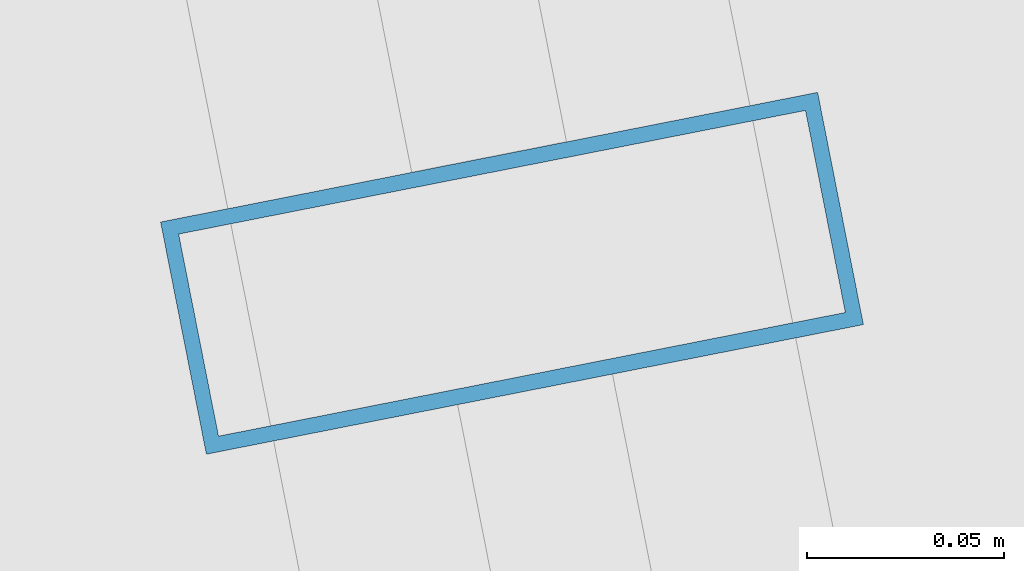
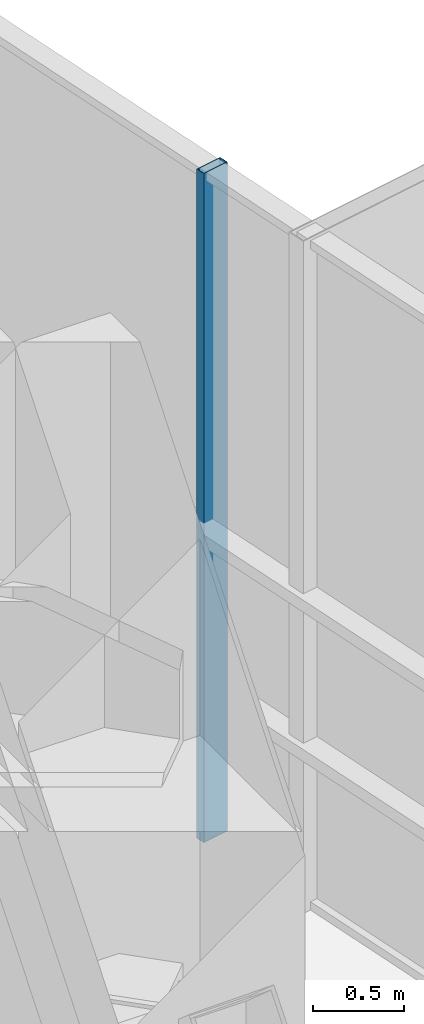
# One storey, part 21 of 36: 1 member, 1 element without a shape of its own.
"""IFC4 building model written with IfcOpenShell, lengths in metres."""

import ifcopenshell
import ifcopenshell.guid

model = None  # the IFC model being written
_history = None  # IfcOwnerHistory: only IFC2X3 demands one
_inside = {}  # id of a spatial element -> (the spatial element, [elements in it])
_under = {}  # id of a project, library or spatial element -> (it, [spatial elements below it])
_declared = {}  # id of a project -> (the project, [libraries it declares])
_typed = {}  # id of a type object -> (the type object, [elements of that type])
_made_of = {}  # id of a material, layer set ... -> (it, [elements and type objects made of it])


def new_model(schema):
    """Start an empty IFC model of exactly this schema.

    Asked for "IFC4X3", IfcOpenShell would pick the latest addendum, in which some entities
    have other attributes; the version numbers below select the first issue.
    IFC2X3 requires an IfcOwnerHistory on every rooted entity: one is made here for all.
    """
    global model, _history
    if schema == "IFC4X3":
        model = ifcopenshell.file(schema_version=(4, 3, 0, 0))
    else:
        model = ifcopenshell.file(schema=schema)
    _inside.clear()
    _under.clear()
    _declared.clear()
    _typed.clear()
    _made_of.clear()
    _history = None
    if model.schema == "IFC2X3":
        org = make("IfcOrganization", Name="unknown")
        user = make(
            "IfcPersonAndOrganization",
            ThePerson=make("IfcPerson", FamilyName="unknown"),
            TheOrganization=org,
        )
        app = make(
            "IfcApplication",
            ApplicationDeveloper=org,
            Version="unknown",
            ApplicationFullName="unknown",
            ApplicationIdentifier="unknown",
        )
        _history = make(
            "IfcOwnerHistory",
            OwningUser=user,
            OwningApplication=app,
            ChangeAction="ADDED",
            CreationDate=0,
        )
    return model


def make(cls, **values):
    """One entity of the class cls with the attributes given. An attribute that is None is left unset."""
    return model.create_entity(
        cls, **{name: value for name, value in values.items() if value is not None}
    )


def rooted(cls, **values):
    """An entity with a GlobalId (a new one), such as an element, a storey or a relation."""
    return make(cls, GlobalId=ifcopenshell.guid.new(), OwnerHistory=_history, **values)


def si_unit(unit_type, name, prefix=None):
    """IfcSIUnit, for example si_unit("LENGTHUNIT", "METRE", prefix="MILLI")."""
    return make("IfcSIUnit", UnitType=unit_type, Prefix=prefix, Name=name)


def assignment(units):
    """IfcUnitAssignment: the units of a project."""
    return None if units is None else make("IfcUnitAssignment", Units=units)


def point(xyz):
    """IfcCartesianPoint."""
    return None if xyz is None else make("IfcCartesianPoint", Coordinates=xyz)


def direction(xyz):
    """IfcDirection."""
    return None if xyz is None else make("IfcDirection", DirectionRatios=xyz)


def frame(location, z_axis=None, x_axis=None):
    """IfcAxis2Placement3D, a coordinate frame: its origin and axes. An axis left out is left unset."""
    return make(
        "IfcAxis2Placement3D",
        Location=point(location),
        Axis=direction(z_axis),
        RefDirection=direction(x_axis),
    )


def frame_2d(location, x_axis=None):
    """IfcAxis2Placement2D, a coordinate frame in the plane: its origin and x axis."""
    return make(
        "IfcAxis2Placement2D", Location=point(location), RefDirection=direction(x_axis)
    )


def origin():
    """The frame at (0, 0, 0) with its axes left unset."""
    return frame((0.0, 0.0, 0.0))


def origin_2d():
    """The frame at (0, 0) in the plane with its x axis left unset."""
    return frame_2d((0.0, 0.0))


def place(relative_to, where):
    """IfcLocalPlacement: puts the frame where relative to a parent placement (None: the world)."""
    return make(
        "IfcLocalPlacement", PlacementRelTo=relative_to, RelativePlacement=where
    )


def context(
    kind, dimensions, precision=None, world=None, true_north=None, identifier=None
):
    """IfcGeometricRepresentationContext, for example the 3D "Model" context."""
    return make(
        "IfcGeometricRepresentationContext",
        ContextIdentifier=identifier,
        ContextType=kind,
        CoordinateSpaceDimension=dimensions,
        Precision=precision,
        WorldCoordinateSystem=world,
        TrueNorth=true_north,
    )


def subcontext(parent, identifier, kind, view, scale=None):
    """IfcGeometricRepresentationSubContext, for example "Body" below "Model"."""
    return make(
        "IfcGeometricRepresentationSubContext",
        ContextIdentifier=identifier,
        ContextType=kind,
        ParentContext=parent,
        TargetScale=scale,
        TargetView=view,
    )


def project(units=None, contexts=None):
    """IfcProject with its units and contexts."""
    return rooted(
        "IfcProject",
        Name="project",
        RepresentationContexts=contexts,
        UnitsInContext=assignment(units),
    )


def spatial(cls, under=None, at=None, **own):
    """A site, building, storey or space (cls), placed at a placement, below another one or the project."""
    s = rooted(cls, ObjectPlacement=at, **own)
    if under is not None:
        _under.setdefault(under.id(), (under, []))[1].append(s)
    return s


def profile(cls, at=None, kind="AREA", **sizes):
    """A parametric profile (cls). Its sizes go by their IFC names, for example OverallWidth=200.0."""
    return make(cls, ProfileType=kind, Position=at, **sizes)


def hollow_rectangle(**sizes):
    """IfcRectangleHollowProfileDef."""
    return profile("IfcRectangleHollowProfileDef", **sizes)


def extrude(swept, where, along, depth):
    """IfcExtrudedAreaSolid: the profile swept, set in the frame where, extruded along a direction by depth."""
    return make(
        "IfcExtrudedAreaSolid",
        SweptArea=swept,
        Position=where,
        ExtrudedDirection=direction(along),
        Depth=depth,
    )


def shape(context_of_items, identifier, shape_type, items):
    """IfcShapeRepresentation: the items that make up one representation, for example the "Body"."""
    return make(
        "IfcShapeRepresentation",
        ContextOfItems=context_of_items,
        RepresentationIdentifier=identifier,
        RepresentationType=shape_type,
        Items=items,
    )


def source(mapping_origin, context_of_items, identifier, shape_type, items):
    """IfcRepresentationMap: a shape defined once, which mapped items show again and again."""
    return make(
        "IfcRepresentationMap",
        MappingOrigin=mapping_origin,
        MappedRepresentation=shape(context_of_items, identifier, shape_type, items),
    )


def transform(
    local_origin,
    x_axis=None,
    y_axis=None,
    z_axis=None,
    scale=None,
    scale2=None,
    scale3=None,
    uniform=True,
):
    """IfcCartesianTransformationOperator3D, or its non-uniform kind. x_axis, y_axis, z_axis: its Axis1, 2, 3."""
    if uniform:
        return make(
            "IfcCartesianTransformationOperator3D",
            Axis1=direction(x_axis),
            Axis2=direction(y_axis),
            LocalOrigin=point(local_origin),
            Scale=scale,
            Axis3=direction(z_axis),
        )
    return make(
        "IfcCartesianTransformationOperator3DnonUniform",
        Axis1=direction(x_axis),
        Axis2=direction(y_axis),
        LocalOrigin=point(local_origin),
        Scale=scale,
        Axis3=direction(z_axis),
        Scale2=scale2,
        Scale3=scale3,
    )


def mapped(mapping_source, mapping_target):
    """IfcMappedItem: shows the shape of a source again, moved by a transform."""
    return make(
        "IfcMappedItem", MappingSource=mapping_source, MappingTarget=mapping_target
    )


def material(Name=None, Category=None):
    """IfcMaterial."""
    return make("IfcMaterial", Name=Name, Category=Category)


def layer(
    of_material, thickness, ventilated=None, Name=None, Category=None, Priority=None
):
    """IfcMaterialLayer: one layer of a wall or slab, of a material (None: an air gap)."""
    return make(
        "IfcMaterialLayer",
        Material=of_material,
        LayerThickness=thickness,
        IsVentilated=ventilated,
        Name=Name,
        Category=Category,
        Priority=Priority,
    )


def layer_set(layers, Name=None):
    """IfcMaterialLayerSet."""
    return make("IfcMaterialLayerSet", MaterialLayers=layers, LayerSetName=Name)


def material_profile(
    of_material, cross_section, Name=None, Category=None, Priority=None
):
    """IfcMaterialProfile: a cross section and its material."""
    return make(
        "IfcMaterialProfile",
        Name=Name,
        Material=of_material,
        Profile=cross_section,
        Priority=Priority,
        Category=Category,
    )


def profile_set(profiles, Name=None, composite=None):
    """IfcMaterialProfileSet."""
    return make(
        "IfcMaterialProfileSet",
        Name=Name,
        MaterialProfiles=profiles,
        CompositeProfile=composite,
    )


def made_of(thing, what):
    """Note that an element or type object is made of a material, layer set ...; save() writes the relation."""
    if what is not None:
        _made_of.setdefault(what.id(), (what, []))[1].append(thing)
    return thing


def type_object(cls, material=None, **own):
    """A type object (cls), such as IfcWallType, which elements share."""
    return made_of(rooted(cls, **own), material)


def element(
    cls,
    number,
    at=None,
    inside=None,
    cuts=None,
    type_object=None,
    material=None,
    context=None,
    identifier="Body",
    shape_type=None,
    held_by="IfcProductDefinitionShape",
    body=None,
    shapes=None,
    **own,
):
    """One element of the class cls, such as IfcWall. Its Tag is "e" and its number.

    at: its placement. inside: the storey or other place that contains it. cuts: it is an
    opening in that element (IfcRelVoidsElement). A single representation is given by context,
    identifier, shape_type and body (its items); several are given by shapes. held_by: the class
    of the entity that holds the representations. save() writes the other relations.
    """
    e = rooted(cls, Tag="e%d" % number, ObjectPlacement=at, **own)
    if body is not None:
        shapes = [shape(context, identifier, shape_type, body)]
    if shapes is not None:
        e.Representation = make(held_by, Representations=shapes)
    if inside is not None:
        _inside.setdefault(inside.id(), (inside, []))[1].append(e)
    if cuts is not None:
        rooted(
            "IfcRelVoidsElement", RelatingBuildingElement=cuts, RelatedOpeningElement=e
        )
    if type_object is not None:
        _typed.setdefault(type_object.id(), (type_object, []))[1].append(e)
    return made_of(e, material)


def aggregate(whole, parts):
    """IfcRelAggregates: a whole, such as a stair, and the parts it consists of."""
    return rooted("IfcRelAggregates", RelatingObject=whole, RelatedObjects=parts)


def save(model, path):
    """Write the relations noted so far, then the file.

    IfcRelAggregates (storeys below a building ...), IfcRelContainedInSpatialStructure (elements
    in a storey), IfcRelDefinesByType, IfcRelAssociatesMaterial and IfcRelDeclares: one each for
    every whole, place, type object, material and project.
    """
    for whole, parts in _under.values():
        aggregate(whole, parts)
    for where, things in _inside.values():
        rooted(
            "IfcRelContainedInSpatialStructure",
            RelatedElements=things,
            RelatingStructure=where,
        )
    for kind, things in _typed.values():
        rooted("IfcRelDefinesByType", RelatedObjects=things, RelatingType=kind)
    for what, things in _made_of.values():
        rooted("IfcRelAssociatesMaterial", RelatedObjects=things, RelatingMaterial=what)
    for by, libraries in _declared.values():
        rooted("IfcRelDeclares", RelatingContext=by, RelatedDefinitions=libraries)
    model.write(path)


model = new_model("IFC4")

# Units and contexts
model_context = context("Model", 3, precision=1e-05, world=origin(), true_north=direction((0.0, 1.0)))
body_context = subcontext(model_context, "Body", "Model", "MODEL_VIEW")
ifc_project = project(units=[si_unit("LENGTHUNIT", "METRE"), si_unit("AREAUNIT", "SQUARE_METRE"), si_unit("VOLUMEUNIT", "CUBIC_METRE"), si_unit("PLANEANGLEUNIT", "RADIAN"), si_unit("MASSUNIT", "GRAM", prefix="KILO")], contexts=[model_context])

# Site, building, storey
site_placement = place(None, origin())
site = spatial("IfcSite", under=ifc_project, at=site_placement, CompositionType="ELEMENT")
building_placement = place(site_placement, origin())
building = spatial("IfcBuilding", under=site, at=building_placement, Name="Veraguas Prism Commons", CompositionType="ELEMENT")
storey_placement = place(building_placement, frame((0.0, 0.0, 169.550048828125)))
storey = spatial("IfcBuildingStorey", under=building, at=storey_placement, Name="L48", CompositionType="ELEMENT", Elevation=169.550048828125)

# Curtain wall, member
ifc_material = material(Name="Anodised aluminium EN AW-6063 T6", Category="aluminium")
ifc_layer = layer(ifc_material, 0.169921875, Name="Unitised Flush Curtain Wall Zone 2", Category="aluminium")
ifc_layer_set = layer_set([ifc_layer], Name="Anodised aluminium EN AW-6063 T6")
curtain_wall_type = type_object("IfcCurtainWallType", Name="Unitised Flush Curtain Wall Zone 2", PredefinedType="NOTDEFINED", material=ifc_layer_set)
curtain_wall_placement = place(storey_placement, origin())
curtain_wall = element("IfcCurtainWall", 1, at=curtain_wall_placement, inside=storey, type_object=curtain_wall_type, Name="Tower Facade Curtain Wall L48-F6", PredefinedType="NOTDEFINED")
ifc_material_profile = material_profile(ifc_material, hollow_rectangle(XDim=0.06005859375, YDim=0.169921875, WallThickness=0.00390625, at=origin_2d()), Name="AL60X170X4")
ifc_profile_set = profile_set([ifc_material_profile], Name="Anodised aluminium EN AW-6063 T6")
member_type = type_object("IfcMemberType", Name="Curtain Wall Mullion Lower AL 60x170x4", PredefinedType="MULLION", material=ifc_profile_set)
shared_shape = source(origin(), body_context, "Body", "SweptSolid", [
    extrude(hollow_rectangle(XDim=0.06005859375, YDim=0.169921875, WallThickness=0.00390625, at=origin_2d()), origin(), (0.0, 0.0, 1.0), 4.47998046875),
])
member_placement = place(storey_placement, frame((41.98583984375, 31.93994140625, 0.0), z_axis=(0.0, 0.0, 1.0), x_axis=(-0.193549468051, 0.981090517443, 0.0)))
member = element("IfcMember", 2, at=member_placement, type_object=member_type, Name="CW-Z2 Mullion 4", PredefinedType="MULLION", context=body_context, shape_type="MappedRepresentation", body=[
    mapped(shared_shape, transform((0.0, 0.0, 0.0), scale=1.0)),
])
aggregate(curtain_wall, [member])

save(model, "model.ifc")
